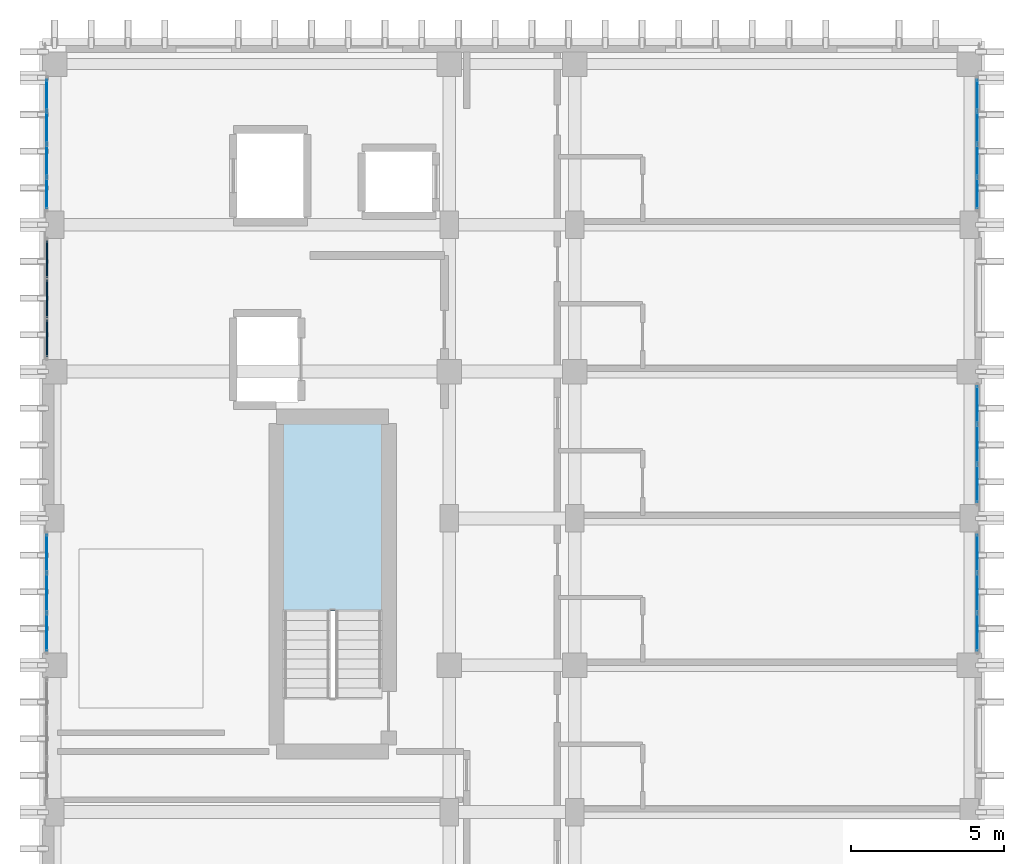
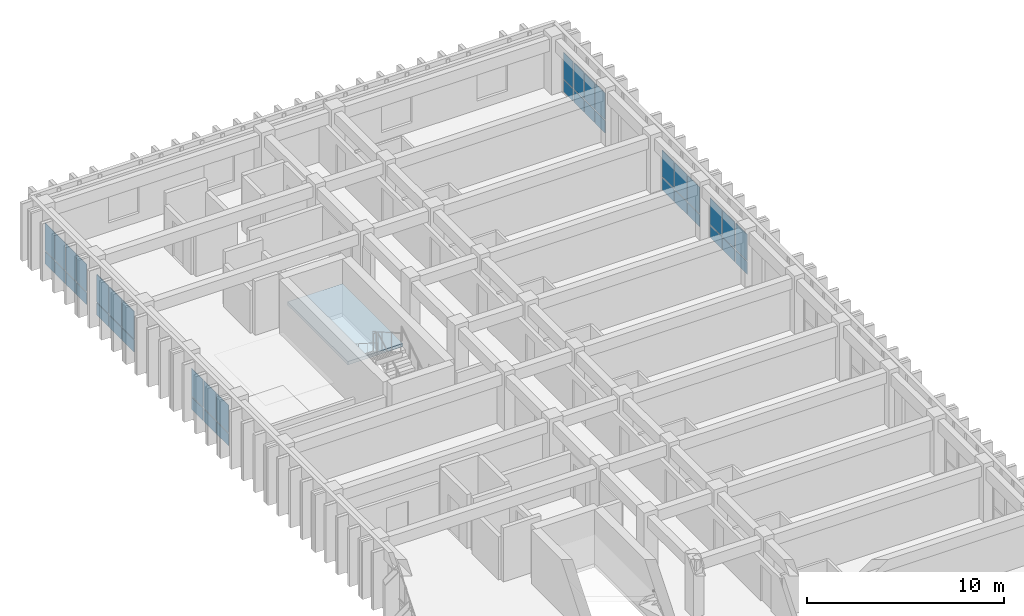
# One storey, part 62 of 82: 40 plates, 1 slab, 7 elements without a shape of their own.
"""IFC4 building model written with IfcOpenShell, lengths in metres."""

from ifc_helpers import new_model, si_unit, direction, frame, origin, origin_2d, place, context, subcontext, project, spatial, polyline, rectangle, outline, extrude, material, layer, layer_set, type_object, element, aggregate, save


model = new_model("IFC4")

# Units and contexts
model_context = context("Model", 3, precision=1e-05, world=origin(), true_north=direction((0.0, 1.0)))
body_context = subcontext(model_context, "Body", "Model", "MODEL_VIEW")
ifc_project = project(units=[si_unit("LENGTHUNIT", "METRE"), si_unit("AREAUNIT", "SQUARE_METRE"), si_unit("VOLUMEUNIT", "CUBIC_METRE"), si_unit("PLANEANGLEUNIT", "RADIAN"), si_unit("MASSUNIT", "GRAM", prefix="KILO")], contexts=[model_context])

# Site, building, storey
site_placement = place(None, origin())
site = spatial("IfcSite", under=ifc_project, at=site_placement, CompositionType="ELEMENT")
building_placement = place(site_placement, origin())
building = spatial("IfcBuilding", under=site, at=building_placement, Name="Nakhvara Creek Congress Hotel", CompositionType="ELEMENT")
storey_placement = place(building_placement, frame((0.0, 0.0, 21.0)))
storey = spatial("IfcBuildingStorey", under=building, at=storey_placement, Name="L04", CompositionType="ELEMENT", Elevation=21.0)

# Curtain wall, plates
ifc_material_1 = material(Name="Bronze-anodised aluminium AW-6063-T6 and double-silver low-E glass", Category="aluminium")
ifc_layer_1 = layer(ifc_material_1, 0.199951171875)
ifc_layer_set_1 = layer_set([ifc_layer_1], Name="Bronze-anodised aluminium AW-6063-T6 and double-silver low-E glass")
curtain_wall_type = type_object("IfcCurtainWallType", Name="CW-HTL-UNIT", PredefinedType="USERDEFINED", material=ifc_layer_set_1)
curtain_wall_1_placement = place(storey_placement, origin())
curtain_wall_1 = element("IfcCurtainWall", 1, at=curtain_wall_1_placement, inside=storey, type_object=curtain_wall_type, Name="Curtain Wall CW196", ObjectType="UNITISED", PredefinedType="USERDEFINED")
ifc_material_2 = material(Name="Double-silver solar-control low-E insulated glass", Category="glass")
plate_type_1 = type_object("IfcPlateType", Name="PNL-GLZ-120X250", PredefinedType="CURTAIN_PANEL", material=ifc_material_2)
plate_1_placement = place(storey_placement, frame((179.60009765625, 109.265380859375, 0.06494140625), z_axis=(0.0, 0.0, 1.0), x_axis=(0.0, -1.0, 0.0)))
plate_1 = element("IfcPlate", 2, at=plate_1_placement, type_object=plate_type_1, Name="CW196 panel 1.1", PredefinedType="CURTAIN_PANEL", context=body_context, shape_type="SweptSolid", body=[
    extrude(rectangle(XDim=1.209228515625, YDim=0.028076171875, at=origin_2d()), origin(), (0.0, 0.0, 1.0), 0.75244140625),
])
plate_2_placement = place(storey_placement, frame((179.60009765625, 109.265380859375, 0.88232421875), z_axis=(0.0, 0.0, 1.0), x_axis=(0.0, -1.0, 0.0)))
plate_2 = element("IfcPlate", 3, at=plate_2_placement, type_object=plate_type_1, Name="CW196 panel 1.2", PredefinedType="CURTAIN_PANEL", context=body_context, shape_type="SweptSolid", body=[
    extrude(rectangle(XDim=1.209228515625, YDim=0.028076171875, at=origin_2d()), origin(), (0.0, 0.0, 1.0), 1.634521484375),
])
plate_3_placement = place(storey_placement, frame((179.60009765625, 107.97509765625, 0.06494140625), z_axis=(0.0, 0.0, 1.0), x_axis=(0.0, -1.0, 0.0)))
plate_3 = element("IfcPlate", 4, at=plate_3_placement, type_object=plate_type_1, Name="CW196 panel 2.1", PredefinedType="CURTAIN_PANEL", context=body_context, shape_type="SweptSolid", body=[
    extrude(rectangle(XDim=1.24169921875, YDim=0.028076171875, at=origin_2d()), origin(), (0.0, 0.0, 1.0), 0.75244140625),
])
plate_4_placement = place(storey_placement, frame((179.60009765625, 107.97509765625, 0.88232421875), z_axis=(0.0, 0.0, 1.0), x_axis=(0.0, -1.0, 0.0)))
plate_4 = element("IfcPlate", 5, at=plate_4_placement, type_object=plate_type_1, Name="CW196 panel 2.2", PredefinedType="CURTAIN_PANEL", context=body_context, shape_type="SweptSolid", body=[
    extrude(rectangle(XDim=1.24169921875, YDim=0.028076171875, at=origin_2d()), origin(), (0.0, 0.0, 1.0), 1.634521484375),
])
plate_5_placement = place(storey_placement, frame((179.60009765625, 106.6845703125, 0.06494140625), z_axis=(0.0, 0.0, 1.0), x_axis=(0.0, -1.0, 0.0)))
plate_5 = element("IfcPlate", 6, at=plate_5_placement, type_object=plate_type_1, Name="CW196 panel 3.1", PredefinedType="CURTAIN_PANEL", context=body_context, shape_type="SweptSolid", body=[
    extrude(rectangle(XDim=1.209228515625, YDim=0.028076171875, at=origin_2d()), origin(), (0.0, 0.0, 1.0), 0.75244140625),
])
plate_6_placement = place(storey_placement, frame((179.60009765625, 106.6845703125, 0.88232421875), z_axis=(0.0, 0.0, 1.0), x_axis=(0.0, -1.0, 0.0)))
plate_6 = element("IfcPlate", 7, at=plate_6_placement, type_object=plate_type_1, Name="CW196 panel 3.2", PredefinedType="CURTAIN_PANEL", context=body_context, shape_type="SweptSolid", body=[
    extrude(rectangle(XDim=1.209228515625, YDim=0.028076171875, at=origin_2d()), origin(), (0.0, 0.0, 1.0), 1.634521484375),
])
aggregate(curtain_wall_1, [plate_1, plate_2, plate_3, plate_4, plate_5, plate_6])

curtain_wall_2_placement = place(storey_placement, origin())
curtain_wall_2 = element("IfcCurtainWall", 8, at=curtain_wall_2_placement, inside=storey, type_object=curtain_wall_type, Name="Curtain Wall CW197", ObjectType="UNITISED", PredefinedType="USERDEFINED")
plate_7_placement = place(storey_placement, frame((149.199951171875, 106.6845703125, 0.06494140625), z_axis=(0.0, 0.0, 1.0), x_axis=(0.0, 1.0, 0.0)))
plate_7 = element("IfcPlate", 9, at=plate_7_placement, type_object=plate_type_1, Name="CW197 panel 1.1", PredefinedType="CURTAIN_PANEL", context=body_context, shape_type="SweptSolid", body=[
    extrude(rectangle(XDim=1.209228515625, YDim=0.028076171875, at=origin_2d()), origin(), (0.0, 0.0, 1.0), 0.75244140625),
])
plate_8_placement = place(storey_placement, frame((149.199951171875, 106.6845703125, 0.882568359375), z_axis=(0.0, 0.0, 1.0), x_axis=(0.0, 1.0, 0.0)))
plate_8 = element("IfcPlate", 10, at=plate_8_placement, type_object=plate_type_1, Name="CW197 panel 1.2", PredefinedType="CURTAIN_PANEL", context=body_context, shape_type="SweptSolid", body=[
    extrude(rectangle(XDim=1.209228515625, YDim=0.028076171875, at=origin_2d()), origin(), (0.0, 0.0, 1.0), 1.70458984375),
])
plate_9_placement = place(storey_placement, frame((149.199951171875, 107.97509765625, 0.06494140625), z_axis=(0.0, 0.0, 1.0), x_axis=(0.0, 1.0, 0.0)))
plate_9 = element("IfcPlate", 11, at=plate_9_placement, type_object=plate_type_1, Name="CW197 panel 2.1", PredefinedType="CURTAIN_PANEL", context=body_context, shape_type="SweptSolid", body=[
    extrude(rectangle(XDim=1.24169921875, YDim=0.028076171875, at=origin_2d()), origin(), (0.0, 0.0, 1.0), 0.75244140625),
])
plate_10_placement = place(storey_placement, frame((149.199951171875, 107.97509765625, 0.882568359375), z_axis=(0.0, 0.0, 1.0), x_axis=(0.0, 1.0, 0.0)))
plate_10 = element("IfcPlate", 12, at=plate_10_placement, type_object=plate_type_1, Name="CW197 panel 2.2", PredefinedType="CURTAIN_PANEL", context=body_context, shape_type="SweptSolid", body=[
    extrude(rectangle(XDim=1.24169921875, YDim=0.028076171875, at=origin_2d()), origin(), (0.0, 0.0, 1.0), 1.70458984375),
])
plate_11_placement = place(storey_placement, frame((149.199951171875, 109.265380859375, 0.06494140625), z_axis=(0.0, 0.0, 1.0), x_axis=(0.0, 1.0, 0.0)))
plate_11 = element("IfcPlate", 13, at=plate_11_placement, type_object=plate_type_1, Name="CW197 panel 3.1", PredefinedType="CURTAIN_PANEL", context=body_context, shape_type="SweptSolid", body=[
    extrude(rectangle(XDim=1.209228515625, YDim=0.028076171875, at=origin_2d()), origin(), (0.0, 0.0, 1.0), 0.75244140625),
])
plate_12_placement = place(storey_placement, frame((149.199951171875, 109.265380859375, 0.882568359375), z_axis=(0.0, 0.0, 1.0), x_axis=(0.0, 1.0, 0.0)))
plate_12 = element("IfcPlate", 14, at=plate_12_placement, type_object=plate_type_1, Name="CW197 panel 3.2", PredefinedType="CURTAIN_PANEL", context=body_context, shape_type="SweptSolid", body=[
    extrude(rectangle(XDim=1.209228515625, YDim=0.028076171875, at=origin_2d()), origin(), (0.0, 0.0, 1.0), 1.70458984375),
])
aggregate(curtain_wall_2, [plate_7, plate_8, plate_9, plate_10, plate_11, plate_12])

curtain_wall_3_placement = place(storey_placement, origin())
curtain_wall_3 = element("IfcCurtainWall", 15, at=curtain_wall_3_placement, inside=storey, type_object=curtain_wall_type, Name="Curtain Wall CW198", ObjectType="UNITISED", PredefinedType="USERDEFINED")
plate_13_placement = place(storey_placement, frame((179.60009765625, 114.115478515625, 0.06494140625), z_axis=(0.0, 0.0, 1.0), x_axis=(0.0, -1.0, 0.0)))
plate_13 = element("IfcPlate", 16, at=plate_13_placement, type_object=plate_type_1, Name="CW198 panel 1.1", PredefinedType="CURTAIN_PANEL", context=body_context, shape_type="SweptSolid", body=[
    extrude(rectangle(XDim=1.209228515625, YDim=0.028076171875, at=origin_2d()), origin(), (0.0, 0.0, 1.0), 0.75244140625),
])
plate_14_placement = place(storey_placement, frame((179.60009765625, 114.115478515625, 0.88232421875), z_axis=(0.0, 0.0, 1.0), x_axis=(0.0, -1.0, 0.0)))
plate_14 = element("IfcPlate", 17, at=plate_14_placement, type_object=plate_type_1, Name="CW198 panel 1.2", PredefinedType="CURTAIN_PANEL", context=body_context, shape_type="SweptSolid", body=[
    extrude(rectangle(XDim=1.209228515625, YDim=0.028076171875, at=origin_2d()), origin(), (0.0, 0.0, 1.0), 1.634521484375),
])
plate_15_placement = place(storey_placement, frame((179.60009765625, 112.824951171875, 0.06494140625), z_axis=(0.0, 0.0, 1.0), x_axis=(0.0, -1.0, 0.0)))
plate_15 = element("IfcPlate", 18, at=plate_15_placement, type_object=plate_type_1, Name="CW198 panel 2.1", PredefinedType="CURTAIN_PANEL", context=body_context, shape_type="SweptSolid", body=[
    extrude(rectangle(XDim=1.24169921875, YDim=0.028076171875, at=origin_2d()), origin(), (0.0, 0.0, 1.0), 0.75244140625),
])
plate_16_placement = place(storey_placement, frame((179.60009765625, 112.824951171875, 0.88232421875), z_axis=(0.0, 0.0, 1.0), x_axis=(0.0, -1.0, 0.0)))
plate_16 = element("IfcPlate", 19, at=plate_16_placement, type_object=plate_type_1, Name="CW198 panel 2.2", PredefinedType="CURTAIN_PANEL", context=body_context, shape_type="SweptSolid", body=[
    extrude(rectangle(XDim=1.24169921875, YDim=0.028076171875, at=origin_2d()), origin(), (0.0, 0.0, 1.0), 1.634521484375),
])
plate_17_placement = place(storey_placement, frame((179.60009765625, 111.53466796875, 0.06494140625), z_axis=(0.0, 0.0, 1.0), x_axis=(0.0, -1.0, 0.0)))
plate_17 = element("IfcPlate", 20, at=plate_17_placement, type_object=plate_type_1, Name="CW198 panel 3.1", PredefinedType="CURTAIN_PANEL", context=body_context, shape_type="SweptSolid", body=[
    extrude(rectangle(XDim=1.209228515625, YDim=0.028076171875, at=origin_2d()), origin(), (0.0, 0.0, 1.0), 0.75244140625),
])
plate_18_placement = place(storey_placement, frame((179.60009765625, 111.53466796875, 0.88232421875), z_axis=(0.0, 0.0, 1.0), x_axis=(0.0, -1.0, 0.0)))
plate_18 = element("IfcPlate", 21, at=plate_18_placement, type_object=plate_type_1, Name="CW198 panel 3.2", PredefinedType="CURTAIN_PANEL", context=body_context, shape_type="SweptSolid", body=[
    extrude(rectangle(XDim=1.209228515625, YDim=0.028076171875, at=origin_2d()), origin(), (0.0, 0.0, 1.0), 1.634521484375),
])
aggregate(curtain_wall_3, [plate_13, plate_14, plate_15, plate_16, plate_17, plate_18])

curtain_wall_4_placement = place(storey_placement, origin())
curtain_wall_4 = element("IfcCurtainWall", 22, at=curtain_wall_4_placement, inside=storey, type_object=curtain_wall_type, Name="Curtain Wall CW200", ObjectType="UNITISED", PredefinedType="USERDEFINED")
plate_19_placement = place(storey_placement, frame((179.60009765625, 124.241943359375, 0.06494140625), z_axis=(0.0, 0.0, 1.0), x_axis=(0.0, -1.0, 0.0)))
plate_19 = element("IfcPlate", 23, at=plate_19_placement, type_object=plate_type_1, Name="CW200 panel 1.1", PredefinedType="CURTAIN_PANEL", context=body_context, shape_type="SweptSolid", body=[
    extrude(rectangle(XDim=0.986328125, YDim=0.028076171875, at=origin_2d()), origin(), (0.0, 0.0, 1.0), 0.75244140625),
])
plate_20_placement = place(storey_placement, frame((179.60009765625, 124.241943359375, 0.88232421875), z_axis=(0.0, 0.0, 1.0), x_axis=(0.0, -1.0, 0.0)))
plate_20 = element("IfcPlate", 24, at=plate_20_placement, type_object=plate_type_1, Name="CW200 panel 1.2", PredefinedType="CURTAIN_PANEL", context=body_context, shape_type="SweptSolid", body=[
    extrude(rectangle(XDim=0.986328125, YDim=0.028076171875, at=origin_2d()), origin(), (0.0, 0.0, 1.0), 1.634521484375),
])
plate_21_placement = place(storey_placement, frame((179.60009765625, 123.17431640625, 0.06494140625), z_axis=(0.0, 0.0, 1.0), x_axis=(0.0, -1.0, 0.0)))
plate_21 = element("IfcPlate", 25, at=plate_21_placement, type_object=plate_type_1, Name="CW200 panel 2.1", PredefinedType="CURTAIN_PANEL", context=body_context, shape_type="SweptSolid", body=[
    extrude(rectangle(XDim=1.018798828125, YDim=0.028076171875, at=origin_2d()), origin(), (0.0, 0.0, 1.0), 0.75244140625),
])
plate_22_placement = place(storey_placement, frame((179.60009765625, 123.17431640625, 0.88232421875), z_axis=(0.0, 0.0, 1.0), x_axis=(0.0, -1.0, 0.0)))
plate_22 = element("IfcPlate", 26, at=plate_22_placement, type_object=plate_type_1, Name="CW200 panel 2.2", PredefinedType="CURTAIN_PANEL", context=body_context, shape_type="SweptSolid", body=[
    extrude(rectangle(XDim=1.018798828125, YDim=0.028076171875, at=origin_2d()), origin(), (0.0, 0.0, 1.0), 1.634521484375),
])
plate_23_placement = place(storey_placement, frame((179.60009765625, 122.090576171875, 0.06494140625), z_axis=(0.0, 0.0, 1.0), x_axis=(0.0, -1.0, 0.0)))
plate_23 = element("IfcPlate", 27, at=plate_23_placement, type_object=plate_type_1, Name="CW200 panel 3.1", PredefinedType="CURTAIN_PANEL", context=body_context, shape_type="SweptSolid", body=[
    extrude(rectangle(XDim=1.018798828125, YDim=0.028076171875, at=origin_2d()), origin(), (0.0, 0.0, 1.0), 0.75244140625),
])
plate_24_placement = place(storey_placement, frame((179.60009765625, 122.090576171875, 0.88232421875), z_axis=(0.0, 0.0, 1.0), x_axis=(0.0, -1.0, 0.0)))
plate_24 = element("IfcPlate", 28, at=plate_24_placement, type_object=plate_type_1, Name="CW200 panel 3.2", PredefinedType="CURTAIN_PANEL", context=body_context, shape_type="SweptSolid", body=[
    extrude(rectangle(XDim=1.018798828125, YDim=0.028076171875, at=origin_2d()), origin(), (0.0, 0.0, 1.0), 1.634521484375),
])
plate_25_placement = place(storey_placement, frame((179.60009765625, 121.023193359375, 0.06494140625), z_axis=(0.0, 0.0, 1.0), x_axis=(0.0, -1.0, 0.0)))
plate_25 = element("IfcPlate", 29, at=plate_25_placement, type_object=plate_type_1, Name="CW200 panel 4.1", PredefinedType="CURTAIN_PANEL", context=body_context, shape_type="SweptSolid", body=[
    extrude(rectangle(XDim=0.986328125, YDim=0.028076171875, at=origin_2d()), origin(), (0.0, 0.0, 1.0), 0.75244140625),
])
plate_26_placement = place(storey_placement, frame((179.60009765625, 121.023193359375, 0.88232421875), z_axis=(0.0, 0.0, 1.0), x_axis=(0.0, -1.0, 0.0)))
plate_26 = element("IfcPlate", 30, at=plate_26_placement, type_object=plate_type_1, Name="CW200 panel 4.2", PredefinedType="CURTAIN_PANEL", context=body_context, shape_type="SweptSolid", body=[
    extrude(rectangle(XDim=0.986328125, YDim=0.028076171875, at=origin_2d()), origin(), (0.0, 0.0, 1.0), 1.634521484375),
])
aggregate(curtain_wall_4, [plate_19, plate_20, plate_21, plate_22, plate_23, plate_24, plate_25, plate_26])

curtain_wall_5_placement = place(storey_placement, origin())
curtain_wall_5 = element("IfcCurtainWall", 31, at=curtain_wall_5_placement, inside=storey, type_object=curtain_wall_type, Name="Curtain Wall CW201", ObjectType="UNITISED", PredefinedType="USERDEFINED")
plate_27_placement = place(storey_placement, frame((149.199951171875, 121.023193359375, 0.06494140625), z_axis=(0.0, 0.0, 1.0), x_axis=(0.0, 1.0, 0.0)))
plate_27 = element("IfcPlate", 32, at=plate_27_placement, type_object=plate_type_1, Name="CW201 panel 1.1", PredefinedType="CURTAIN_PANEL", context=body_context, shape_type="SweptSolid", body=[
    extrude(rectangle(XDim=0.986328125, YDim=0.028076171875, at=origin_2d()), origin(), (0.0, 0.0, 1.0), 0.75244140625),
])
plate_28_placement = place(storey_placement, frame((149.199951171875, 121.023193359375, 0.882568359375), z_axis=(0.0, 0.0, 1.0), x_axis=(0.0, 1.0, 0.0)))
plate_28 = element("IfcPlate", 33, at=plate_28_placement, type_object=plate_type_1, Name="CW201 panel 1.2", PredefinedType="CURTAIN_PANEL", context=body_context, shape_type="SweptSolid", body=[
    extrude(rectangle(XDim=0.986328125, YDim=0.028076171875, at=origin_2d()), origin(), (0.0, 0.0, 1.0), 1.70458984375),
])
plate_29_placement = place(storey_placement, frame((149.199951171875, 122.090576171875, 0.06494140625), z_axis=(0.0, 0.0, 1.0), x_axis=(0.0, 1.0, 0.0)))
plate_29 = element("IfcPlate", 34, at=plate_29_placement, type_object=plate_type_1, Name="CW201 panel 2.1", PredefinedType="CURTAIN_PANEL", context=body_context, shape_type="SweptSolid", body=[
    extrude(rectangle(XDim=1.018798828125, YDim=0.028076171875, at=origin_2d()), origin(), (0.0, 0.0, 1.0), 0.75244140625),
])
plate_30_placement = place(storey_placement, frame((149.199951171875, 122.090576171875, 0.882568359375), z_axis=(0.0, 0.0, 1.0), x_axis=(0.0, 1.0, 0.0)))
plate_30 = element("IfcPlate", 35, at=plate_30_placement, type_object=plate_type_1, Name="CW201 panel 2.2", PredefinedType="CURTAIN_PANEL", context=body_context, shape_type="SweptSolid", body=[
    extrude(rectangle(XDim=1.018798828125, YDim=0.028076171875, at=origin_2d()), origin(), (0.0, 0.0, 1.0), 1.70458984375),
])
plate_31_placement = place(storey_placement, frame((149.199951171875, 123.17431640625, 0.06494140625), z_axis=(0.0, 0.0, 1.0), x_axis=(0.0, 1.0, 0.0)))
plate_31 = element("IfcPlate", 36, at=plate_31_placement, type_object=plate_type_1, Name="CW201 panel 3.1", PredefinedType="CURTAIN_PANEL", context=body_context, shape_type="SweptSolid", body=[
    extrude(rectangle(XDim=1.018798828125, YDim=0.028076171875, at=origin_2d()), origin(), (0.0, 0.0, 1.0), 0.75244140625),
])
plate_32_placement = place(storey_placement, frame((149.199951171875, 123.17431640625, 0.882568359375), z_axis=(0.0, 0.0, 1.0), x_axis=(0.0, 1.0, 0.0)))
plate_32 = element("IfcPlate", 37, at=plate_32_placement, type_object=plate_type_1, Name="CW201 panel 3.2", PredefinedType="CURTAIN_PANEL", context=body_context, shape_type="SweptSolid", body=[
    extrude(rectangle(XDim=1.018798828125, YDim=0.028076171875, at=origin_2d()), origin(), (0.0, 0.0, 1.0), 1.70458984375),
])
plate_33_placement = place(storey_placement, frame((149.199951171875, 124.241943359375, 0.06494140625), z_axis=(0.0, 0.0, 1.0), x_axis=(0.0, 1.0, 0.0)))
plate_33 = element("IfcPlate", 38, at=plate_33_placement, type_object=plate_type_1, Name="CW201 panel 4.1", PredefinedType="CURTAIN_PANEL", context=body_context, shape_type="SweptSolid", body=[
    extrude(rectangle(XDim=0.986328125, YDim=0.028076171875, at=origin_2d()), origin(), (0.0, 0.0, 1.0), 0.75244140625),
])
plate_34_placement = place(storey_placement, frame((149.199951171875, 124.241943359375, 0.882568359375), z_axis=(0.0, 0.0, 1.0), x_axis=(0.0, 1.0, 0.0)))
plate_34 = element("IfcPlate", 39, at=plate_34_placement, type_object=plate_type_1, Name="CW201 panel 4.2", PredefinedType="CURTAIN_PANEL", context=body_context, shape_type="SweptSolid", body=[
    extrude(rectangle(XDim=0.986328125, YDim=0.028076171875, at=origin_2d()), origin(), (0.0, 0.0, 1.0), 1.70458984375),
])
aggregate(curtain_wall_5, [plate_27, plate_28, plate_29, plate_30, plate_31, plate_32, plate_33, plate_34])

curtain_wall_6_placement = place(storey_placement, origin())
curtain_wall_6 = element("IfcCurtainWall", 40, at=curtain_wall_6_placement, inside=storey, type_object=curtain_wall_type, Name="Curtain Wall CW199", ObjectType="UNITISED", PredefinedType="USERDEFINED")
ifc_material_3 = material(Name="Back-insulated bronze spandrel glass panel", Category="glass")
plate_type_2 = type_object("IfcPlateType", Name="PNL-SPN-120X080", PredefinedType="CURTAIN_PANEL", material=ifc_material_3)
plate_35_placement = place(storey_placement, frame((149.199951171875, 116.28466796875, 0.06494140625), z_axis=(0.0, 0.0, 1.0), x_axis=(0.0, 1.0, 0.0)))
plate_35 = element("IfcPlate", 41, at=plate_35_placement, type_object=plate_type_2, Name="CW199 panel 1.1", PredefinedType="CURTAIN_PANEL", context=body_context, shape_type="SweptSolid", body=[
    extrude(rectangle(XDim=1.209228515625, YDim=0.0419921875, at=origin_2d()), origin(), (0.0, 0.0, 1.0), 0.75244140625),
])
plate_36_placement = place(storey_placement, frame((149.199951171875, 116.28466796875, 0.882568359375), z_axis=(0.0, 0.0, 1.0), x_axis=(0.0, 1.0, 0.0)))
plate_36 = element("IfcPlate", 42, at=plate_36_placement, type_object=plate_type_2, Name="CW199 panel 1.2", PredefinedType="CURTAIN_PANEL", context=body_context, shape_type="SweptSolid", body=[
    extrude(rectangle(XDim=1.209228515625, YDim=0.0419921875, at=origin_2d()), origin(), (0.0, 0.0, 1.0), 1.70458984375),
])
plate_37_placement = place(storey_placement, frame((149.199951171875, 117.574951171875, 0.06494140625), z_axis=(0.0, 0.0, 1.0), x_axis=(0.0, 1.0, 0.0)))
plate_37 = element("IfcPlate", 43, at=plate_37_placement, type_object=plate_type_2, Name="CW199 panel 2.1", PredefinedType="CURTAIN_PANEL", context=body_context, shape_type="SweptSolid", body=[
    extrude(rectangle(XDim=1.24169921875, YDim=0.0419921875, at=origin_2d()), origin(), (0.0, 0.0, 1.0), 0.75244140625),
])
plate_38_placement = place(storey_placement, frame((149.199951171875, 117.574951171875, 0.882568359375), z_axis=(0.0, 0.0, 1.0), x_axis=(0.0, 1.0, 0.0)))
plate_38 = element("IfcPlate", 44, at=plate_38_placement, type_object=plate_type_2, Name="CW199 panel 2.2", PredefinedType="CURTAIN_PANEL", context=body_context, shape_type="SweptSolid", body=[
    extrude(rectangle(XDim=1.24169921875, YDim=0.0419921875, at=origin_2d()), origin(), (0.0, 0.0, 1.0), 1.70458984375),
])
plate_39_placement = place(storey_placement, frame((149.199951171875, 118.865478515625, 0.06494140625), z_axis=(0.0, 0.0, 1.0), x_axis=(0.0, 1.0, 0.0)))
plate_39 = element("IfcPlate", 45, at=plate_39_placement, type_object=plate_type_2, Name="CW199 panel 3.1", PredefinedType="CURTAIN_PANEL", context=body_context, shape_type="SweptSolid", body=[
    extrude(rectangle(XDim=1.209228515625, YDim=0.0419921875, at=origin_2d()), origin(), (0.0, 0.0, 1.0), 0.75244140625),
])
plate_40_placement = place(storey_placement, frame((149.199951171875, 118.865478515625, 0.882568359375), z_axis=(0.0, 0.0, 1.0), x_axis=(0.0, 1.0, 0.0)))
plate_40 = element("IfcPlate", 46, at=plate_40_placement, type_object=plate_type_2, Name="CW199 panel 3.2", PredefinedType="CURTAIN_PANEL", context=body_context, shape_type="SweptSolid", body=[
    extrude(rectangle(XDim=1.209228515625, YDim=0.0419921875, at=origin_2d()), origin(), (0.0, 0.0, 1.0), 1.70458984375),
])
aggregate(curtain_wall_6, [plate_35, plate_36, plate_37, plate_38, plate_39, plate_40])

# Stair, slab
ifc_material_4 = material(Name="Concrete C40/50", Category="concrete")
stair_type = type_object("IfcStairType", Name="ST-CORE-160", PredefinedType="HALF_TURN_STAIR", material=ifc_material_4)
stair_placement = place(storey_placement, origin())
stair = element("IfcStair", 47, at=stair_placement, inside=storey, type_object=stair_type, Name="L04 Protected Exit Stair ST02", PredefinedType="HALF_TURN_STAIR")
ifc_layer_2 = layer(ifc_material_4, 0.199951171875)
ifc_layer_set_2 = layer_set([ifc_layer_2], Name="Concrete C40/50")
slab_type = type_object("IfcSlabType", Name="SL-LAND-200", PredefinedType="LANDING", material=ifc_layer_set_2)
slab_placement = place(storey_placement, frame((0.0, 0.0, 1.60009765625)))
slab = element("IfcSlab", 48, at=slab_placement, type_object=slab_type, Name="ST02 landing 1", PredefinedType="LANDING", context=body_context, shape_type="SweptSolid", body=[
    extrude(outline(polyline([(160.14990234375, 107.375), (160.14990234375, 113.5), (156.919921875, 113.5), (156.919921875, 107.375), (160.14990234375, 107.375)])), origin(), (0.0, 0.0, 1.0), 0.199951171875),
])
aggregate(stair, [slab])

save(model, "model.ifc")
